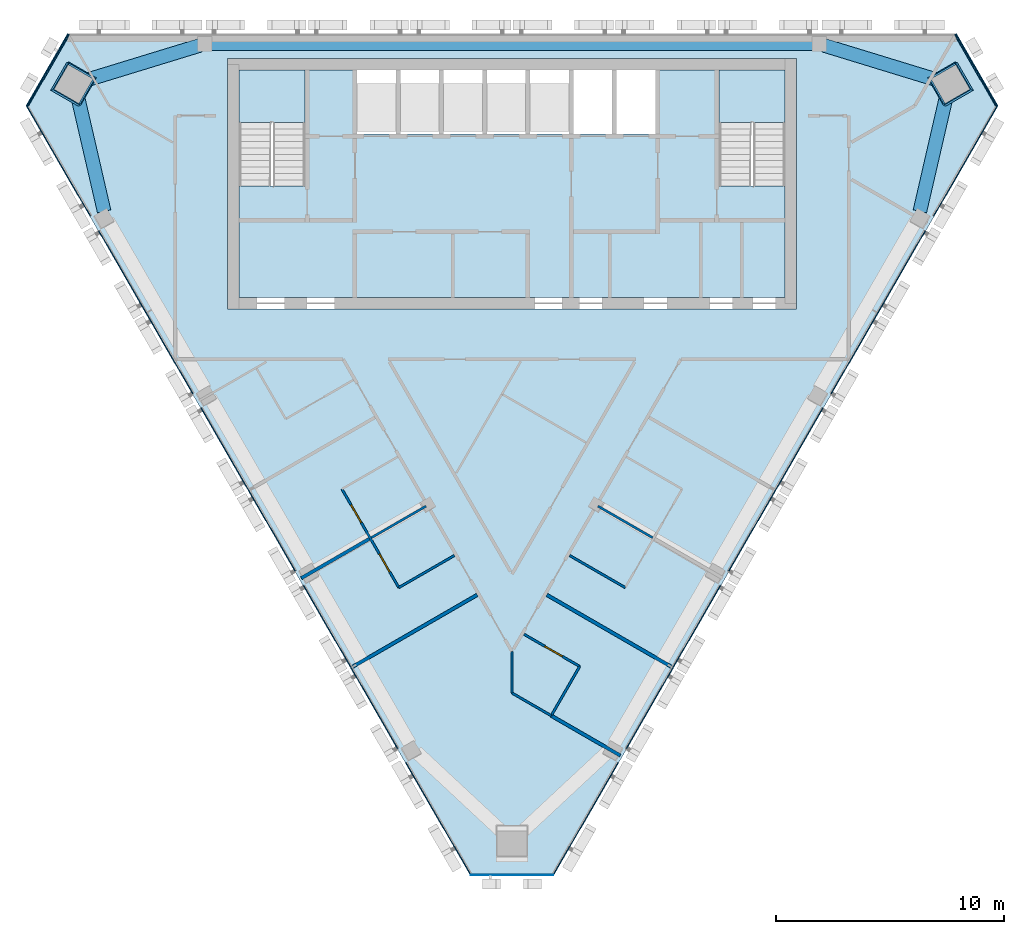
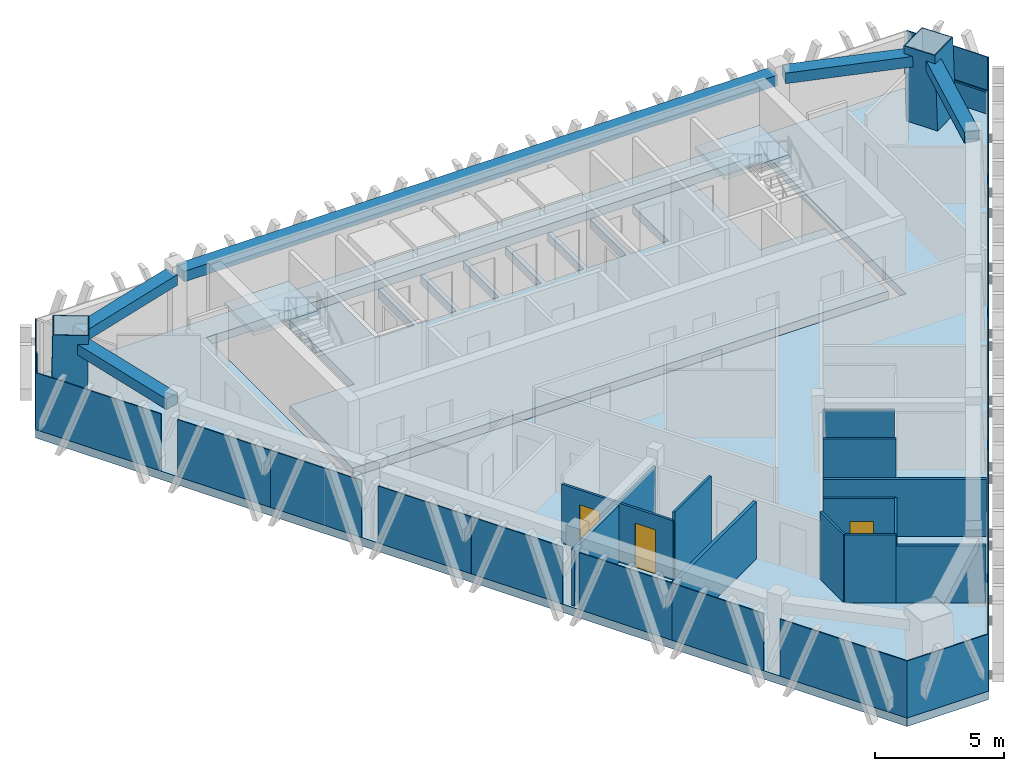
# One storey, part 5 of 12: 19 plates, 13 walls, 5 beams, 4 members, 4 slabs, 3 doors, 3 openings, 7 elements without a shape of their own.
"""IFC4 building model written with IfcOpenShell, lengths in metres."""

from ifc_helpers import new_model, si_unit, direction, frame, frame_2d, origin, origin_2d, place, context, subcontext, project, spatial, polyline, rectangle, hollow_rectangle, outline, extrude, material, layer, layer_set, material_profile, profile_set, type_object, element, fill, aggregate, save


model = new_model("IFC4")

# Units and contexts
model_context = context("Model", 3, precision=1e-05, world=origin(), true_north=direction((0.0, 1.0)))
body_context = subcontext(model_context, "Body", "Model", "MODEL_VIEW")
ifc_project = project(units=[si_unit("LENGTHUNIT", "METRE"), si_unit("AREAUNIT", "SQUARE_METRE"), si_unit("VOLUMEUNIT", "CUBIC_METRE"), si_unit("PLANEANGLEUNIT", "RADIAN"), si_unit("MASSUNIT", "GRAM", prefix="KILO")], contexts=[model_context])

# Site, building, storey
site_placement = place(None, origin())
site = spatial("IfcSite", under=ifc_project, at=site_placement, CompositionType="ELEMENT")
building_placement = place(site_placement, origin())
building = spatial("IfcBuilding", under=site, at=building_placement, Name="Altiplano Prism Tower", CompositionType="ELEMENT")
storey_placement = place(building_placement, frame((0.0, 0.0, 323.800048828125)))
storey = spatial("IfcBuildingStorey", under=building, at=storey_placement, Name="L84", CompositionType="ELEMENT", Elevation=323.800048828125)

# Curtain wall, member
ifc_material_1 = material(Name="Aluminium and glass", Category="aluminium")
ifc_layer_1 = layer(ifc_material_1, 0.280029296875)
ifc_layer_set_1 = layer_set([ifc_layer_1], Name="Aluminium and glass")
curtain_wall_type = type_object("IfcCurtainWallType", Name="CW1 typical co-living unitised curtain wall", PredefinedType="NOTDEFINED", material=ifc_layer_set_1)
curtain_wall_1_placement = place(storey_placement, origin())
curtain_wall_1 = element("IfcCurtainWall", 1, at=curtain_wall_1_placement, inside=storey, type_object=curtain_wall_type, Name="CW1 curtain wall north-west chamfer L84", PredefinedType="NOTDEFINED")
ifc_material_2 = material(Name="Aluminium", Category="aluminium")
ifc_material_profile_1 = material_profile(ifc_material_2, rectangle(XDim=0.06005859375, YDim=0.080078125, at=origin_2d()), Name="CW1 transom 80 x 60")
ifc_profile_set_1 = profile_set([ifc_material_profile_1], Name="Aluminium")
member_type_1 = type_object("IfcMemberType", Name="CW1 transom 80 x 60", PredefinedType="USERDEFINED", material=ifc_profile_set_1)
member_1_placement = place(storey_placement, frame((65.53125, 104.965087890625, 1.099853515625), z_axis=(-0.499990402704, -0.866030944715, 0.0), x_axis=(0.866030944715, -0.499990402704, 0.0)))
member_1 = element("IfcMember", 2, at=member_1_placement, type_object=member_type_1, Name="CW1 transom", ObjectType="TRANSOM", PredefinedType="USERDEFINED", context=body_context, shape_type="SweptSolid", body=[
    extrude(rectangle(XDim=0.06005859375, YDim=0.080078125, at=origin_2d()), origin(), (0.0, 0.0, 1.0), 3.654296875),
])

curtain_wall_2_placement = place(storey_placement, origin())
curtain_wall_2 = element("IfcCurtainWall", 3, at=curtain_wall_2_placement, inside=storey, type_object=curtain_wall_type, Name="CW1 curtain wall north-east chamfer L84", PredefinedType="NOTDEFINED")
member_2_placement = place(storey_placement, frame((106.2958984375, 101.80029296875, 1.099853515625), z_axis=(-0.499990402704, 0.866030944715, 0.0), x_axis=(-0.866030944715, -0.499990402704, 0.0)))
member_2 = element("IfcMember", 4, at=member_2_placement, type_object=member_type_1, Name="CW1 transom", ObjectType="TRANSOM", PredefinedType="USERDEFINED", context=body_context, shape_type="SweptSolid", body=[
    extrude(rectangle(XDim=0.06005859375, YDim=0.080078125, at=origin_2d()), origin(), (0.0, 0.0, 1.0), 3.654296875),
])

# Beams
ifc_material_3 = material(Name="Concrete C60/75", Category="concrete")
ifc_material_profile_2 = material_profile(ifc_material_3, rectangle(XDim=0.60009765625, YDim=0.5, at=origin_2d()), Name="Edge beam 600x500")
ifc_profile_set_2 = profile_set([ifc_material_profile_2], Name="Concrete C60/75")
beam_type = type_object("IfcBeamType", Name="Edge beam 600x500", PredefinedType="SPANDREL", material=ifc_profile_set_2)
for number, where, z_axis, x_axis, name in (
    (5, (102.921630859375, 97.19140625, 2.949951171875), (0.224644464654, 0.97444079579, 0.0), (-0.97444079579, 0.224644464654, 0.0), "Edge beam P24-M2 L85"),
    (6, (103.78466796875, 102.9326171875, 2.949951171875), (-0.956222552423, 0.292640445319, 0.0), (-0.292640445319, -0.956222552423, 0.0), "Edge beam M2-P01 L85"),
):
    element("IfcBeam", number, at=place(storey_placement, frame(where, z_axis=z_axis, x_axis=x_axis)), inside=storey, type_object=beam_type, Name=name, PredefinedType="SPANDREL", context=body_context, shape_type="SweptSolid", body=[
        extrude(rectangle(XDim=0.60009765625, YDim=0.5, at=origin_2d()), origin(), (0.0, 0.0, 1.0), 5.306884765625),
    ])
beam_placement = place(storey_placement, frame((98.294921875, 104.550048828125, 2.949951171875), z_axis=(-1.0, 0.0, 0.0), x_axis=(0.0, -1.0, 0.0)))
element("IfcBeam", 7, at=beam_placement, inside=storey, type_object=beam_type, Name="Edge beam P01-P04 L85", PredefinedType="SPANDREL", context=body_context, shape_type="SweptSolid", body=[
    extrude(rectangle(XDim=0.60009765625, YDim=0.5, at=origin_2d()), origin(), (0.0, 0.0, 1.0), 26.58984375),
])
for number, where, z_axis, x_axis, name in (
    (8, (71.289794921875, 104.485595703125, 2.949951171875), (-0.956222552423, -0.292640445319, 0.0), (0.292640445319, -0.956222552423, 0.0), "Edge beam P04-M0 L85"),
    (9, (65.88623046875, 102.362548828125, 2.949951171875), (0.224644464654, -0.97444079579, 0.0), (0.97444079579, 0.224644464654, 0.0), "Edge beam M0-P11 L85"),
):
    element("IfcBeam", number, at=place(storey_placement, frame(where, z_axis=z_axis, x_axis=x_axis)), inside=storey, type_object=beam_type, Name=name, PredefinedType="SPANDREL", context=body_context, shape_type="SweptSolid", body=[
        extrude(rectangle(XDim=0.60009765625, YDim=0.5, at=origin_2d()), origin(), (0.0, 0.0, 1.0), 5.306884765625),
    ])

# Members
ifc_material_4 = material(Name="Steel S460", Category="steel")
ifc_material_profile_3 = material_profile(ifc_material_4, hollow_rectangle(XDim=1.39990234375, YDim=1.39990234375, WallThickness=0.0400390625, at=origin_2d()), Name="Mega column tube 1400")
ifc_profile_set_3 = profile_set([ifc_material_profile_3], Name="Steel S460")
member_type_2 = type_object("IfcMemberType", Name="Mega column tube 1400", PredefinedType="POST", material=ifc_profile_set_3)
for number, where, z_axis, x_axis, name in (
    (10, (65.682861328125, 102.767578125, 0.0), (0.028403721265, 0.009287135593, 0.999553389135), (-0.866203322899, 0.499292288984, 0.019975323751), "Mega column tube M0 L84"),
    (11, (104.317138671875, 102.767578125, 0.0), (-0.028403721265, 0.009287135593, 0.999553389135), (0.498883786083, -0.866383840612, 0.022226306716), "Mega column tube M2 L84"),
):
    element("IfcMember", number, at=place(storey_placement, frame(where, z_axis=z_axis, x_axis=x_axis)), inside=storey, type_object=member_type_2, Name=name, PredefinedType="POST", context=body_context, shape_type="SweptSolid", body=[
        extrude(hollow_rectangle(XDim=1.39990234375, YDim=1.39990234375, WallThickness=0.0400390625, at=origin_2d()), origin(), (0.0, 0.0, 1.0), 3.6015625),
    ])

# Plate
ifc_material_5 = material(Name="Clear glass", Category="glass")
ifc_layer_2 = layer(ifc_material_5, 0.0400390625)
ifc_layer_set_2 = layer_set([ifc_layer_2], Name="Clear glass")
plate_type = type_object("IfcPlateType", Name="CW1 insulated glass unit 40", PredefinedType="CURTAIN_PANEL", material=ifc_layer_set_2)
plate_1_placement = place(storey_placement, frame((64.574462890625, 103.40771484375, 0.0), z_axis=(0.0, 0.0, 1.0), x_axis=(-0.499999984326, -0.866025412834, 0.0)))
plate_1 = element("IfcPlate", 12, at=plate_1_placement, type_object=plate_type, Name="CW1 panel", PredefinedType="CURTAIN_PANEL", context=body_context, shape_type="SweptSolid", body=[
    extrude(rectangle(XDim=3.644287109375, YDim=0.0400390625, at=origin_2d()), origin(), (0.0, 0.0, 1.0), 2.699951171875),
])

aggregate(curtain_wall_1, [member_1, plate_1])

# Curtain wall, plates
curtain_wall_3_placement = place(storey_placement, origin())
curtain_wall_3 = element("IfcCurtainWall", 13, at=curtain_wall_3_placement, inside=storey, type_object=curtain_wall_type, Name="CW1 curtain wall south-west face L84", PredefinedType="NOTDEFINED")
plate_2_placement = place(storey_placement, frame((65.06689453125, 99.40966796875, 0.0), z_axis=(0.0, 0.0, 1.0), x_axis=(0.499999991339, -0.866025408785, 0.0)))
plate_2 = element("IfcPlate", 14, at=plate_2_placement, type_object=plate_type, Name="CW1 panel", PredefinedType="CURTAIN_PANEL", context=body_context, shape_type="SweptSolid", body=[
    extrude(rectangle(XDim=5.61474609375, YDim=0.0400390625, at=origin_2d()), origin(), (0.0, 0.0, 1.0), 2.699951171875),
])
plate_3_placement = place(storey_placement, frame((67.8818359375, 94.5341796875, 0.0), z_axis=(0.0, 0.0, 1.0), x_axis=(0.499999991339, -0.866025408785, 0.0)))
plate_3 = element("IfcPlate", 15, at=plate_3_placement, type_object=plate_type, Name="CW1 panel", PredefinedType="CURTAIN_PANEL", context=body_context, shape_type="SweptSolid", body=[
    extrude(rectangle(XDim=4.16455078125, YDim=0.0400390625, at=origin_2d()), origin(), (0.0, 0.0, 1.0), 2.699951171875),
])
plate_4_placement = place(storey_placement, frame((69.94921875, 90.953125, 0.0), z_axis=(0.0, 0.0, 1.0), x_axis=(0.499999991339, -0.866025408785, 0.0)))
plate_4 = element("IfcPlate", 16, at=plate_4_placement, type_object=plate_type, Name="CW1 panel", PredefinedType="CURTAIN_PANEL", context=body_context, shape_type="SweptSolid", body=[
    extrude(rectangle(XDim=4.08544921875, YDim=0.0400390625, at=origin_2d()), origin(), (0.0, 0.0, 1.0), 2.699951171875),
])
plate_5_placement = place(storey_placement, frame((72.3818359375, 86.739990234375, 0.0), z_axis=(0.0, 0.0, 1.0), x_axis=(0.499999991339, -0.866025408785, 0.0)))
plate_5 = element("IfcPlate", 17, at=plate_5_placement, type_object=plate_type, Name="CW1 panel", PredefinedType="CURTAIN_PANEL", context=body_context, shape_type="SweptSolid", body=[
    extrude(rectangle(XDim=4.16455078125, YDim=0.0400390625, at=origin_2d()), origin(), (0.0, 0.0, 1.0), 2.699951171875),
])
plate_6_placement = place(storey_placement, frame((74.44921875, 83.158935546875, 0.0), z_axis=(0.0, 0.0, 1.0), x_axis=(0.499999991339, -0.866025408785, 0.0)))
plate_6 = element("IfcPlate", 18, at=plate_6_placement, type_object=plate_type, Name="CW1 panel", PredefinedType="CURTAIN_PANEL", context=body_context, shape_type="SweptSolid", body=[
    extrude(rectangle(XDim=4.08544921875, YDim=0.0400390625, at=origin_2d()), origin(), (0.0, 0.0, 1.0), 2.699951171875),
])
plate_7_placement = place(storey_placement, frame((76.8818359375, 78.94580078125, 0.0), z_axis=(0.0, 0.0, 1.0), x_axis=(0.499999991339, -0.866025408785, 0.0)))
plate_7 = element("IfcPlate", 19, at=plate_7_placement, type_object=plate_type, Name="CW1 panel", PredefinedType="CURTAIN_PANEL", context=body_context, shape_type="SweptSolid", body=[
    extrude(rectangle(XDim=4.16455078125, YDim=0.0400390625, at=origin_2d()), origin(), (0.0, 0.0, 1.0), 2.699951171875),
])
plate_8_placement = place(storey_placement, frame((78.94921875, 75.36474609375, 0.0), z_axis=(0.0, 0.0, 1.0), x_axis=(0.499999991339, -0.866025408785, 0.0)))
plate_8 = element("IfcPlate", 20, at=plate_8_placement, type_object=plate_type, Name="CW1 panel", PredefinedType="CURTAIN_PANEL", context=body_context, shape_type="SweptSolid", body=[
    extrude(rectangle(XDim=4.08544921875, YDim=0.0400390625, at=origin_2d()), origin(), (0.0, 0.0, 1.0), 2.699951171875),
])
plate_9_placement = place(storey_placement, frame((81.76416015625, 70.4892578125, 0.0), z_axis=(0.0, 0.0, 1.0), x_axis=(0.499999991339, -0.866025408785, 0.0)))
plate_9 = element("IfcPlate", 21, at=plate_9_placement, type_object=plate_type, Name="CW1 panel", PredefinedType="CURTAIN_PANEL", context=body_context, shape_type="SweptSolid", body=[
    extrude(rectangle(XDim=5.69384765625, YDim=0.0400390625, at=origin_2d()), origin(), (0.0, 0.0, 1.0), 2.699951171875),
])
aggregate(curtain_wall_3, [plate_2, plate_3, plate_4, plate_5, plate_6, plate_7, plate_8, plate_9])

# Curtain wall, plate
curtain_wall_4_placement = place(storey_placement, origin())
curtain_wall_4 = element("IfcCurtainWall", 22, at=curtain_wall_4_placement, inside=storey, type_object=curtain_wall_type, Name="CW1 curtain wall south chamfer L84", PredefinedType="NOTDEFINED")
plate_10_placement = place(storey_placement, frame((85.0, 68.029296875, 0.0), z_axis=(0.0, 0.0, 1.0), x_axis=(1.0, 0.0, 0.0)))
plate_10 = element("IfcPlate", 23, at=plate_10_placement, type_object=plate_type, Name="CW1 panel", PredefinedType="CURTAIN_PANEL", context=body_context, shape_type="SweptSolid", body=[
    extrude(rectangle(XDim=3.644287109375, YDim=0.0400390625, at=origin_2d()), origin(), (0.0, 0.0, 1.0), 2.699951171875),
])
aggregate(curtain_wall_4, [plate_10])

# Curtain wall, plates
curtain_wall_5_placement = place(storey_placement, origin())
curtain_wall_5 = element("IfcCurtainWall", 24, at=curtain_wall_5_placement, inside=storey, type_object=curtain_wall_type, Name="CW1 curtain wall south-east face L84", PredefinedType="NOTDEFINED")
plate_11_placement = place(storey_placement, frame((88.23583984375, 70.4892578125, 0.0), z_axis=(0.0, 0.0, 1.0), x_axis=(0.499999991339, 0.866025408785, 0.0)))
plate_11 = element("IfcPlate", 25, at=plate_11_placement, type_object=plate_type, Name="CW1 panel", PredefinedType="CURTAIN_PANEL", context=body_context, shape_type="SweptSolid", body=[
    extrude(rectangle(XDim=5.69384765625, YDim=0.0400390625, at=origin_2d()), origin(), (0.0, 0.0, 1.0), 2.699951171875),
])
plate_12_placement = place(storey_placement, frame((91.05078125, 75.36474609375, 0.0), z_axis=(0.0, 0.0, 1.0), x_axis=(0.499999991339, 0.866025408785, 0.0)))
plate_12 = element("IfcPlate", 26, at=plate_12_placement, type_object=plate_type, Name="CW1 panel", PredefinedType="CURTAIN_PANEL", context=body_context, shape_type="SweptSolid", body=[
    extrude(rectangle(XDim=4.08544921875, YDim=0.0400390625, at=origin_2d()), origin(), (0.0, 0.0, 1.0), 2.699951171875),
])
plate_13_placement = place(storey_placement, frame((93.1181640625, 78.94580078125, 0.0), z_axis=(0.0, 0.0, 1.0), x_axis=(0.499999991339, 0.866025408785, 0.0)))
plate_13 = element("IfcPlate", 27, at=plate_13_placement, type_object=plate_type, Name="CW1 panel", PredefinedType="CURTAIN_PANEL", context=body_context, shape_type="SweptSolid", body=[
    extrude(rectangle(XDim=4.16455078125, YDim=0.0400390625, at=origin_2d()), origin(), (0.0, 0.0, 1.0), 2.699951171875),
])
plate_14_placement = place(storey_placement, frame((95.55078125, 83.158935546875, 0.0), z_axis=(0.0, 0.0, 1.0), x_axis=(0.499999991339, 0.866025408785, 0.0)))
plate_14 = element("IfcPlate", 28, at=plate_14_placement, type_object=plate_type, Name="CW1 panel", PredefinedType="CURTAIN_PANEL", context=body_context, shape_type="SweptSolid", body=[
    extrude(rectangle(XDim=4.08544921875, YDim=0.0400390625, at=origin_2d()), origin(), (0.0, 0.0, 1.0), 2.699951171875),
])
plate_15_placement = place(storey_placement, frame((97.6181640625, 86.739990234375, 0.0), z_axis=(0.0, 0.0, 1.0), x_axis=(0.499999991339, 0.866025408785, 0.0)))
plate_15 = element("IfcPlate", 29, at=plate_15_placement, type_object=plate_type, Name="CW1 panel", PredefinedType="CURTAIN_PANEL", context=body_context, shape_type="SweptSolid", body=[
    extrude(rectangle(XDim=4.16455078125, YDim=0.0400390625, at=origin_2d()), origin(), (0.0, 0.0, 1.0), 2.699951171875),
])
plate_16_placement = place(storey_placement, frame((100.05078125, 90.953125, 0.0), z_axis=(0.0, 0.0, 1.0), x_axis=(0.499999991339, 0.866025408785, 0.0)))
plate_16 = element("IfcPlate", 30, at=plate_16_placement, type_object=plate_type, Name="CW1 panel", PredefinedType="CURTAIN_PANEL", context=body_context, shape_type="SweptSolid", body=[
    extrude(rectangle(XDim=4.08544921875, YDim=0.0400390625, at=origin_2d()), origin(), (0.0, 0.0, 1.0), 2.699951171875),
])
plate_17_placement = place(storey_placement, frame((102.1181640625, 94.5341796875, 0.0), z_axis=(0.0, 0.0, 1.0), x_axis=(0.499999991339, 0.866025408785, 0.0)))
plate_17 = element("IfcPlate", 31, at=plate_17_placement, type_object=plate_type, Name="CW1 panel", PredefinedType="CURTAIN_PANEL", context=body_context, shape_type="SweptSolid", body=[
    extrude(rectangle(XDim=4.16455078125, YDim=0.0400390625, at=origin_2d()), origin(), (0.0, 0.0, 1.0), 2.699951171875),
])
plate_18_placement = place(storey_placement, frame((104.93310546875, 99.40966796875, 0.0), z_axis=(0.0, 0.0, 1.0), x_axis=(0.499999991339, 0.866025408785, 0.0)))
plate_18 = element("IfcPlate", 32, at=plate_18_placement, type_object=plate_type, Name="CW1 panel", PredefinedType="CURTAIN_PANEL", context=body_context, shape_type="SweptSolid", body=[
    extrude(rectangle(XDim=5.61474609375, YDim=0.0400390625, at=origin_2d()), origin(), (0.0, 0.0, 1.0), 2.699951171875),
])
aggregate(curtain_wall_5, [plate_11, plate_12, plate_13, plate_14, plate_15, plate_16, plate_17, plate_18])

# Plate
plate_19_placement = place(storey_placement, frame((105.425537109375, 103.40771484375, 0.0), z_axis=(0.0, 0.0, 1.0), x_axis=(-0.499999984326, 0.866025412834, 0.0)))
plate_19 = element("IfcPlate", 33, at=plate_19_placement, type_object=plate_type, Name="CW1 panel", PredefinedType="CURTAIN_PANEL", context=body_context, shape_type="SweptSolid", body=[
    extrude(rectangle(XDim=3.644287109375, YDim=0.0400390625, at=origin_2d()), origin(), (0.0, 0.0, 1.0), 2.699951171875),
])

aggregate(curtain_wall_2, [member_2, plate_19])

# Slabs
ifc_material_6 = material(Name="Concrete C40/50", Category="concrete")
ifc_layer_3 = layer(ifc_material_6, 0.39990234375)
ifc_layer_set_3 = layer_set([ifc_layer_3], Name="Concrete C40/50")
slab_type_1 = type_object("IfcSlabType", Name="Core floor slab 400", PredefinedType="FLOOR", material=ifc_layer_set_3)
slab_1_placement = place(storey_placement, frame((0.0, 0.0, -0.400146484375)))
element("IfcSlab", 34, at=slab_1_placement, inside=storey, type_object=slab_type_1, Name="Core floor slab L84", PredefinedType="FLOOR", context=body_context, shape_type="SweptSolid", body=[
    extrude(outline(polyline([(97.0, 98.31005859375), (94.10009765625, 98.31005859375), (94.10009765625, 103.39990234375), (91.300048828125, 103.39990234375), (91.300048828125, 100.60009765625), (89.60009765625, 100.60009765625), (89.60009765625, 103.39990234375), (89.39990234375, 103.39990234375), (89.39990234375, 100.60009765625), (87.699951171875, 100.60009765625), (87.699951171875, 103.39990234375), (87.5, 103.39990234375), (87.5, 100.60009765625), (85.800048828125, 100.60009765625), (85.800048828125, 103.39990234375), (85.60009765625, 103.39990234375), (85.60009765625, 100.60009765625), (83.89990234375, 100.60009765625), (83.89990234375, 103.39990234375), (83.699951171875, 103.39990234375), (83.699951171875, 100.60009765625), (82.0, 100.60009765625), (82.0, 103.39990234375), (81.800048828125, 103.39990234375), (81.800048828125, 100.60009765625), (80.10009765625, 100.60009765625), (80.10009765625, 103.39990234375), (79.89990234375, 103.39990234375), (79.89990234375, 100.60009765625), (78.199951171875, 100.60009765625), (78.199951171875, 103.39990234375), (75.89990234375, 103.39990234375), (75.89990234375, 98.31005859375), (73.0, 98.31005859375), (73.0, 93.39990234375), (97.0, 93.39990234375), (97.0, 98.31005859375)])), origin(), (0.0, 0.0, 1.0), 0.400146484375),
])
ifc_layer_4 = layer(ifc_material_6, 0.39990234375)
ifc_layer_set_4 = layer_set([ifc_layer_4], Name="Concrete C40/50")
slab_type_2 = type_object("IfcSlabType", Name="Post-tensioned flat slab 400", PredefinedType="FLOOR", material=ifc_layer_set_4)
slab_2_placement = place(storey_placement, frame((0.0, 0.0, -0.400146484375)))
element("IfcSlab", 35, at=slab_2_placement, inside=storey, type_object=slab_type_2, Name="Floor slab L84", PredefinedType="FLOOR", context=body_context, shape_type="SweptSolid", body=[
    extrude(outline(polyline([(106.3564453125, 101.83544921875), (86.8271484375, 68.00927734375), (83.1728515625, 68.00927734375), (63.6435546875, 101.83544921875), (65.470703125, 105.0), (104.529296875, 105.0), (106.3564453125, 101.83544921875)]), holes=[polyline([(97.5, 92.89990234375), (97.5, 103.89990234375), (72.5, 103.89990234375), (72.5, 92.89990234375), (97.5, 92.89990234375)])]), origin(), (0.0, 0.0, 1.0), 0.400146484375),
])

# Stair, slab
stair_type = type_object("IfcStairType", Name="Exit stair 1400", PredefinedType="HALF_TURN_STAIR", material=ifc_material_6)
stair_1_placement = place(storey_placement, origin())
stair_1 = element("IfcStair", 36, at=stair_1_placement, inside=storey, type_object=stair_type, Name="L84 Exit Stair 1", PredefinedType="HALF_TURN_STAIR")
ifc_layer_5 = layer(ifc_material_6, 0.199951171875)
ifc_layer_set_5 = layer_set([ifc_layer_5], Name="Concrete C40/50")
slab_type_3 = type_object("IfcSlabType", Name="Stair landing 200", PredefinedType="LANDING", material=ifc_layer_set_5)
slab_3_placement = place(storey_placement, frame((0.0, 0.0, 1.599853515625)))
slab_3 = element("IfcSlab", 37, at=slab_3_placement, type_object=slab_type_3, Name="ST1 landing 1", PredefinedType="LANDING", context=body_context, shape_type="SweptSolid", body=[
    extrude(outline(polyline([(75.89990234375, 101.096923828125), (75.89990234375, 103.39990234375), (73.0, 103.39990234375), (73.0, 101.096923828125), (75.89990234375, 101.096923828125)])), origin(), (0.0, 0.0, 1.0), 0.2001953125),
])
aggregate(stair_1, [slab_3])

stair_2_placement = place(storey_placement, origin())
stair_2 = element("IfcStair", 38, at=stair_2_placement, inside=storey, type_object=stair_type, Name="L84 Exit Stair 2", PredefinedType="HALF_TURN_STAIR")
slab_4_placement = place(storey_placement, frame((0.0, 0.0, 1.599853515625)))
slab_4 = element("IfcSlab", 39, at=slab_4_placement, type_object=slab_type_3, Name="ST2 landing 1", PredefinedType="LANDING", context=body_context, shape_type="SweptSolid", body=[
    extrude(outline(polyline([(97.0, 101.096923828125), (97.0, 103.39990234375), (94.10009765625, 103.39990234375), (94.10009765625, 101.096923828125), (97.0, 101.096923828125)])), origin(), (0.0, 0.0, 1.0), 0.2001953125),
])
aggregate(stair_2, [slab_4])

# Wall, openings, doors
ifc_material_7 = material(Name="Plasterboard on steel stud", Category="steel")
ifc_layer_6 = layer(ifc_material_7, 0.10009765625)
ifc_layer_set_6 = layer_set([ifc_layer_6], Name="Plasterboard on steel stud")
wall_type_1 = type_object("IfcWallType", Name="Partition 100 unit", PredefinedType="PARTITIONING", material=ifc_layer_set_6)
wall_1_placement = place(storey_placement, frame((80.02587890625, 80.66015625, 0.0), z_axis=(0.0, 0.0, 1.0), x_axis=(-0.500004234368, 0.866022959057, 0.0)))
wall_1 = element("IfcWall", 40, at=wall_1_placement, inside=storey, type_object=wall_type_1, Name="Partition P02 L84 021", PredefinedType="PARTITIONING", context=body_context, shape_type="SweptSolid", body=[
    extrude(rectangle(XDim=5.0, YDim=0.10009765625, at=frame_2d((2.5, 0.0))), origin(), (0.0, 0.0, 1.0), 2.800048828125),
])
opening_1_placement = place(wall_1_placement, frame((3.300048828125, 0.0, 0.0)))
opening_1 = element("IfcOpeningElement", 41, at=opening_1_placement, cuts=wall_1, Name="Opening D2447", PredefinedType="OPENING", context=body_context, shape_type="SweptSolid", body=[
    extrude(rectangle(XDim=0.89990234375, YDim=2.10009765625, at=frame_2d((0.449951171875, 1.050048828125))), frame((0.0, 0.060546875, 0.0), z_axis=(0.0, -1.0, 0.0), x_axis=(1.0, 0.0, 0.0)), (0.0, 0.0, 1.0), 0.12109375),
])
opening_2_placement = place(wall_1_placement, frame((0.800048828125, 0.0, 0.0)))
opening_2 = element("IfcOpeningElement", 42, at=opening_2_placement, cuts=wall_1, Name="Opening D2449", PredefinedType="OPENING", context=body_context, shape_type="SweptSolid", body=[
    extrude(rectangle(XDim=0.89990234375, YDim=2.10009765625, at=frame_2d((0.449951171875, 1.050048828125))), frame((0.0, 0.060546875, 0.0), z_axis=(0.0, -1.0, 0.0), x_axis=(1.0, 0.0, 0.0)), (0.0, 0.0, 1.0), 0.12109375),
])
ifc_material_8 = material(Name="Timber", Category="wood")
door_type = type_object("IfcDoorType", Name="Ensuite door 900 x 2100", OperationType="NOTDEFINED", PredefinedType="NOTDEFINED", material=ifc_material_8)
door_1_placement = place(opening_1_placement, origin())
door_1 = element("IfcDoor", 43, at=door_1_placement, inside=storey, type_object=door_type, Name="Door D2447", OperationType="SINGLE_SWING_RIGHT", OverallHeight=2.10009765625, OverallWidth=0.89990234375, PredefinedType="NOTDEFINED", context=body_context, shape_type="SweptSolid", body=[
    extrude(rectangle(XDim=0.89990234375, YDim=2.10009765625, at=frame_2d((0.449951171875, 1.050048828125))), frame((0.0, 0.02490234375, 0.0), z_axis=(0.0, -1.0, 0.0), x_axis=(1.0, 0.0, 0.0)), (0.0, 0.0, 1.0), 0.050048828125),
])
fill(opening_1, door_1)
door_2_placement = place(opening_2_placement, origin())
door_2 = element("IfcDoor", 44, at=door_2_placement, inside=storey, type_object=door_type, Name="Door D2449", OperationType="SINGLE_SWING_RIGHT", OverallHeight=2.10009765625, OverallWidth=0.89990234375, PredefinedType="NOTDEFINED", context=body_context, shape_type="SweptSolid", body=[
    extrude(rectangle(XDim=0.89990234375, YDim=2.10009765625, at=frame_2d((0.449951171875, 1.050048828125))), frame((0.0, 0.02490234375, 0.0), z_axis=(0.0, -1.0, 0.0), x_axis=(1.0, 0.0, 0.0)), (0.0, 0.0, 1.0), 0.050048828125),
])
fill(opening_2, door_2)

# Wall
wall_2_placement = place(storey_placement, frame((82.472412109375, 82.07275390625, 0.0), z_axis=(0.0, 0.0, 1.0), x_axis=(-0.866011447264, -0.500024172624, 0.0)))
element("IfcWall", 45, at=wall_2_placement, inside=storey, type_object=wall_type_1, Name="Partition P02 L84 025", PredefinedType="PARTITIONING", context=body_context, shape_type="SweptSolid", body=[
    extrude(rectangle(XDim=2.824951171875, YDim=0.10009765625, at=frame_2d((1.41259765625, 0.0))), origin(), (0.0, 0.0, 1.0), 3.199951171875),
])

# Wall, opening, door
wall_3_placement = place(storey_placement, frame((85.527587890625, 78.608642578125, 0.0), z_axis=(0.0, 0.0, 1.0), x_axis=(0.866011447264, -0.500024172624, 0.0)))
wall_3 = element("IfcWall", 46, at=wall_3_placement, inside=storey, type_object=wall_type_1, Name="Partition P02 L84 030", PredefinedType="PARTITIONING", context=body_context, shape_type="SweptSolid", body=[
    extrude(rectangle(XDim=2.824951171875, YDim=0.10009765625, at=frame_2d((1.41259765625, 0.0))), origin(), (0.0, 0.0, 1.0), 3.199951171875),
])
opening_3_placement = place(wall_3_placement, frame((1.051025390625, 0.0, 0.0)))
opening_3 = element("IfcOpeningElement", 47, at=opening_3_placement, cuts=wall_3, Name="Opening D2452", PredefinedType="OPENING", context=body_context, shape_type="SweptSolid", body=[
    extrude(rectangle(XDim=0.89990234375, YDim=2.10009765625, at=frame_2d((0.449951171875, 1.050048828125))), frame((0.0, 0.060546875, 0.0), z_axis=(0.0, -1.0, 0.0), x_axis=(1.0, 0.0, 0.0)), (0.0, 0.0, 1.0), 0.12109375),
])
door_3_placement = place(opening_3_placement, origin())
door_3 = element("IfcDoor", 48, at=door_3_placement, inside=storey, type_object=door_type, Name="Door D2452", OperationType="SINGLE_SWING_RIGHT", OverallHeight=2.10009765625, OverallWidth=0.89990234375, PredefinedType="NOTDEFINED", context=body_context, shape_type="SweptSolid", body=[
    extrude(rectangle(XDim=0.89990234375, YDim=2.10009765625, at=frame_2d((0.449951171875, 1.050048828125))), frame((0.0, 0.02490234375, 0.0), z_axis=(0.0, -1.0, 0.0), x_axis=(1.0, 0.0, 0.0)), (0.0, 0.0, 1.0), 0.050048828125),
])
fill(opening_3, door_3)

# Walls
wall_4_placement = place(storey_placement, frame((87.97412109375, 77.196044921875, 0.0), z_axis=(0.0, 0.0, 1.0), x_axis=(-0.500004234368, -0.866022959057, 0.0)))
element("IfcWall", 49, at=wall_4_placement, inside=storey, type_object=wall_type_1, Name="Partition P02 L84 031", PredefinedType="PARTITIONING", context=body_context, shape_type="SweptSolid", body=[
    extrude(rectangle(XDim=2.5, YDim=0.10009765625, at=frame_2d((1.25, 0.0))), origin(), (0.0, 0.0, 1.0), 3.199951171875),
])
wall_5_placement = place(storey_placement, frame((89.97412109375, 80.66015625, 0.0), z_axis=(0.0, 0.0, 1.0), x_axis=(-0.866011447264, 0.500024172624, 0.0)))
element("IfcWall", 50, at=wall_5_placement, inside=storey, type_object=wall_type_1, Name="Partition P02 L84 033", PredefinedType="PARTITIONING", context=body_context, shape_type="SweptSolid", body=[
    extrude(rectangle(XDim=2.824951171875, YDim=0.10009765625, at=frame_2d((1.41259765625, 0.0))), origin(), (0.0, 0.0, 1.0), 3.199951171875),
])
ifc_layer_7 = layer(ifc_material_7, 0.10009765625)
ifc_layer_set_7 = layer_set([ifc_layer_7], Name="Plasterboard on steel stud")
wall_type_2 = type_object("IfcWallType", Name="Partition 100 wet", PredefinedType="PARTITIONING", material=ifc_layer_set_7)
wall_6_placement = place(storey_placement, frame((78.819091796875, 82.850341796875, 0.0), z_axis=(0.0, 0.0, 1.0), x_axis=(0.866042014628, 0.499971228071, 0.0)))
element("IfcWall", 51, at=wall_6_placement, inside=storey, type_object=wall_type_2, Name="Partition P03 L84 024", PredefinedType="PARTITIONING", context=body_context, shape_type="SweptSolid", body=[
    extrude(rectangle(XDim=2.775146484375, YDim=0.10009765625, at=frame_2d((1.3876953125, 0.0))), origin(), (0.0, 0.0, 1.0), 2.800048828125),
])
wall_7_placement = place(storey_placement, frame((86.72412109375, 75.031005859375, 0.0), z_axis=(0.0, 0.0, 1.0), x_axis=(-0.866038551572, 0.499977226672, 0.0)))
element("IfcWall", 52, at=wall_7_placement, inside=storey, type_object=wall_type_2, Name="Partition P03 L84 028", PredefinedType="PARTITIONING", context=body_context, shape_type="SweptSolid", body=[
    extrude(rectangle(XDim=1.99072265625, YDim=0.10009765625, at=frame_2d((0.995361328125, 0.0))), origin(), (0.0, 0.0, 1.0), 3.199951171875),
])
wall_8_placement = place(storey_placement, frame((85.0, 76.0263671875, 0.0), z_axis=(0.0, 0.0, 1.0), x_axis=(0.0, 1.0, 0.0)))
element("IfcWall", 53, at=wall_8_placement, inside=storey, type_object=wall_type_2, Name="Partition P03 L84 029", PredefinedType="PARTITIONING", context=body_context, shape_type="SweptSolid", body=[
    extrude(rectangle(XDim=1.818359375, YDim=0.10009765625, at=frame_2d((0.9091796875, 0.0))), origin(), (0.0, 0.0, 1.0), 3.199951171875),
])
wall_9_placement = place(storey_placement, frame((91.180908203125, 82.850341796875, 0.0), z_axis=(0.0, 0.0, 1.0), x_axis=(-0.866042014628, 0.499971228071, 0.0)))
element("IfcWall", 54, at=wall_9_placement, inside=storey, type_object=wall_type_2, Name="Partition P03 L84 035", PredefinedType="PARTITIONING", context=body_context, shape_type="SweptSolid", body=[
    extrude(rectangle(XDim=2.775146484375, YDim=0.10009765625, at=frame_2d((1.3876953125, 0.0))), origin(), (0.0, 0.0, 1.0), 2.800048828125),
])
ifc_layer_8 = layer(ifc_material_7, 0.14990234375)
ifc_layer_set_8 = layer_set([ifc_layer_8], Name="Plasterboard on steel stud")
wall_type_3 = type_object("IfcWallType", Name="Partition 150 party", PredefinedType="PARTITIONING", material=ifc_layer_set_8)
wall_10_placement = place(storey_placement, frame((75.744873046875, 81.0751953125, 0.0), z_axis=(0.0, 0.0, 1.0), x_axis=(0.866013532718, 0.500020560727, 0.0)))
element("IfcWall", 55, at=wall_10_placement, inside=storey, type_object=wall_type_3, Name="Partition P01 L84 023", PredefinedType="PARTITIONING", context=body_context, shape_type="SweptSolid", body=[
    extrude(rectangle(XDim=3.449951171875, YDim=0.14990234375, at=frame_2d((1.72509765625, 0.0))), origin(), (0.0, 0.0, 1.0), 2.699951171875),
])
wall_11_placement = place(storey_placement, frame((77.977294921875, 77.16796875, 0.0), z_axis=(0.0, 0.0, 1.0), x_axis=(0.866025401434, 0.500000004071, 0.0)))
element("IfcWall", 56, at=wall_11_placement, inside=storey, type_object=wall_type_3, Name="Partition P01 L84 026", PredefinedType="PARTITIONING", context=body_context, shape_type="SweptSolid", body=[
    extrude(rectangle(XDim=6.34521484375, YDim=0.14990234375, at=frame_2d((3.172607421875, 0.0))), origin(), (0.0, 0.0, 1.0), 2.699951171875),
])
wall_12_placement = place(storey_placement, frame((89.755126953125, 73.281005859375, 0.0), z_axis=(0.0, 0.0, 1.0), x_axis=(-0.866019471182, 0.500010275428, 0.0)))
element("IfcWall", 57, at=wall_12_placement, inside=storey, type_object=wall_type_3, Name="Partition P01 L84 027", PredefinedType="PARTITIONING", context=body_context, shape_type="SweptSolid", body=[
    extrude(rectangle(XDim=3.5, YDim=0.14990234375, at=frame_2d((1.75, 0.0))), origin(), (0.0, 0.0, 1.0), 2.699951171875),
])
wall_13_placement = place(storey_placement, frame((92.022705078125, 77.16796875, 0.0), z_axis=(0.0, 0.0, 1.0), x_axis=(-0.866025401434, 0.500000004071, 0.0)))
element("IfcWall", 58, at=wall_13_placement, inside=storey, type_object=wall_type_3, Name="Partition P01 L84 032", PredefinedType="PARTITIONING", context=body_context, shape_type="SweptSolid", body=[
    extrude(rectangle(XDim=6.34521484375, YDim=0.14990234375, at=frame_2d((3.172607421875, 0.0))), origin(), (0.0, 0.0, 1.0), 2.699951171875),
])

save(model, "model.ifc")
